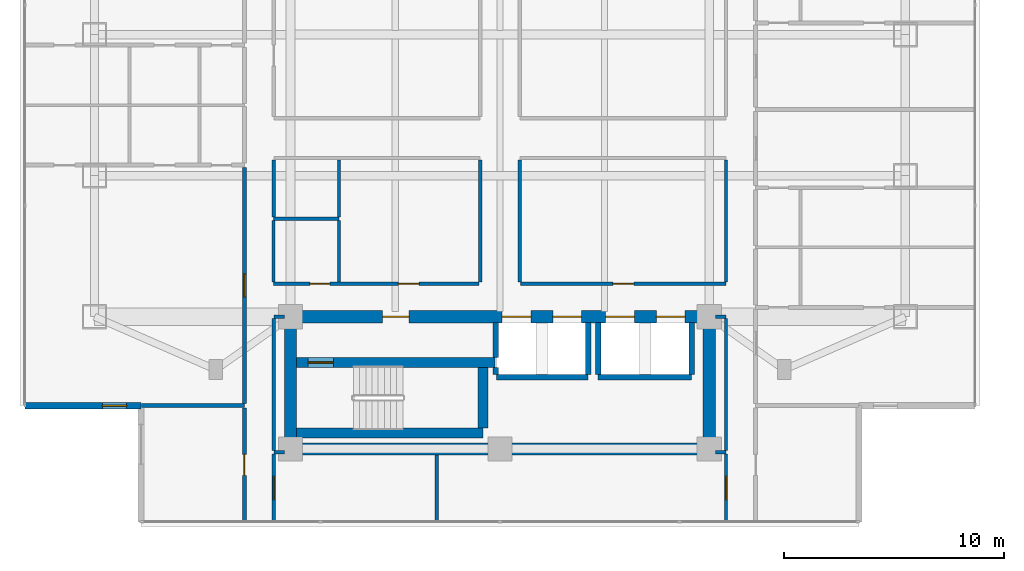
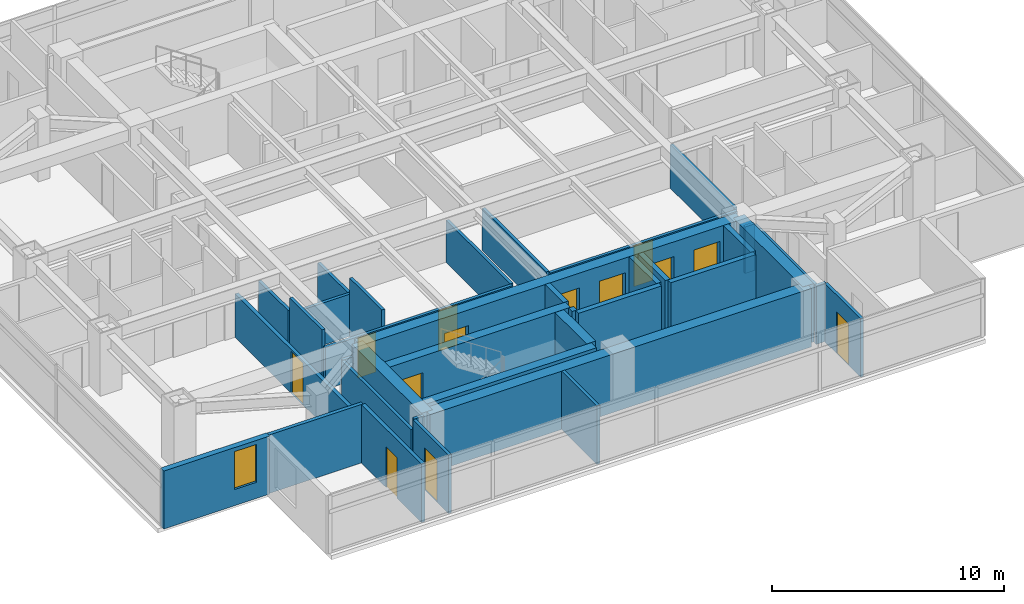
# One storey, part 12 of 24: 37 walls, 13 doors, 1 window, 14 openings.
"""IFC4 building model written with IfcOpenShell, lengths in metres."""

from ifc_helpers import new_model, si_unit, direction, frame, frame_2d, origin, place, context, subcontext, project, spatial, rectangle, extrude, material, layer, layer_set, type_object, element, fill, save


model = new_model("IFC4")

# Units and contexts
model_context = context("Model", 3, precision=1e-05, world=origin(), true_north=direction((0.0, 1.0)))
body_context = subcontext(model_context, "Body", "Model", "MODEL_VIEW")
ifc_project = project(units=[si_unit("LENGTHUNIT", "METRE"), si_unit("AREAUNIT", "SQUARE_METRE"), si_unit("VOLUMEUNIT", "CUBIC_METRE"), si_unit("PLANEANGLEUNIT", "RADIAN"), si_unit("MASSUNIT", "GRAM", prefix="KILO")], contexts=[model_context])

# Site, building, storey
site_placement = place(None, origin())
site = spatial("IfcSite", under=ifc_project, at=site_placement, CompositionType="ELEMENT")
building_placement = place(site_placement, origin())
building = spatial("IfcBuilding", under=site, at=building_placement, Name="Mirazonda Arch Towers", CompositionType="ELEMENT")
storey_placement = place(building_placement, frame((0.0, 0.0, 137.89990234375)))
storey = spatial("IfcBuildingStorey", under=building, at=storey_placement, Name="L39", CompositionType="ELEMENT", Elevation=137.89990234375)

# Wall
ifc_material_1 = material(Name="Concrete C50/60", Category="concrete")
ifc_layer_1 = layer(ifc_material_1, 0.449951171875, Name="WALL-CORE-450")
ifc_layer_set_1 = layer_set([ifc_layer_1], Name="Concrete C50/60")
wall_type_1 = type_object("IfcWallType", Name="WALL-CORE-450", PredefinedType="SHEAR", material=ifc_layer_set_1)
wall_1_placement = place(storey_placement, frame((11.27001953125, 13.1201171875, 0.0), z_axis=(0.0, 0.0, 1.0), x_axis=(1.0, 0.0, 0.0)))
element("IfcWall", 1, at=wall_1_placement, inside=storey, type_object=wall_type_1, Name="L39 Stair Core Shear Wall 003", PredefinedType="SHEAR", context=body_context, shape_type="SweptSolid", body=[
    extrude(rectangle(XDim=8.4599609375, YDim=0.449951171875, at=frame_2d((4.22998046875, 0.0))), origin(), (0.0, 0.0, 1.0), 3.080078125),
])

# Wall, opening, door
wall_2_placement = place(storey_placement, frame((11.27001953125, 16.320068359375, 0.0), z_axis=(0.0, 0.0, 1.0), x_axis=(1.0, 0.0, 0.0)))
wall_2 = element("IfcWall", 2, at=wall_2_placement, inside=storey, type_object=wall_type_1, Name="L39 Stair Core Shear Wall 008", PredefinedType="SHEAR", context=body_context, shape_type="SweptSolid", body=[
    extrude(rectangle(XDim=9.010009765625, YDim=0.449951171875, at=frame_2d((4.5048828125, 0.0))), origin(), (0.0, 0.0, 1.0), 3.080078125),
])
opening_1_placement = place(wall_2_placement, frame((0.52001953125, 0.0, 0.0)))
opening_1 = element("IfcOpeningElement", 3, at=opening_1_placement, cuts=wall_2, Name="Opening DR-135", PredefinedType="OPENING", context=body_context, shape_type="SweptSolid", body=[
    extrude(rectangle(XDim=1.14990234375, YDim=2.199951171875, at=frame_2d((0.574951171875, 1.10009765625))), frame((0.0, 0.23486328125, 0.0), z_axis=(0.0, -1.0, 0.0), x_axis=(1.0, 0.0, 0.0)), (0.0, 0.0, 1.0), 0.469970703125),
])
ifc_material_2 = material(Name="Architectural Brushed Steel S355", Category="steel")
door_type_1 = type_object("IfcDoorType", Name="DOOR-STAIR-FD90-1150", OperationType="NOTDEFINED", PredefinedType="DOOR", material=ifc_material_2)
door_1_placement = place(opening_1_placement, origin())
door_1 = element("IfcDoor", 4, at=door_1_placement, inside=storey, type_object=door_type_1, Name="L39 Protected Exit Stair South Door", OperationType="SINGLE_SWING_LEFT", OverallHeight=2.199951171875, OverallWidth=1.14990234375, PredefinedType="DOOR", context=body_context, shape_type="SweptSolid", body=[
    extrude(rectangle(XDim=1.14990234375, YDim=2.199951171875, at=frame_2d((0.574951171875, 1.10009765625))), frame((0.0, 0.02490234375, 0.0), z_axis=(0.0, -1.0, 0.0), x_axis=(1.0, 0.0, 0.0)), (0.0, 0.0, 1.0), 0.050048828125),
])
fill(opening_1, door_1)

# Walls
wall_3_placement = place(storey_placement, frame((19.72998046875, 13.35498046875, 0.0), z_axis=(0.0, 0.0, 1.0), x_axis=(0.0, 1.0, 0.0)))
element("IfcWall", 5, at=wall_3_placement, inside=storey, type_object=wall_type_1, Name="L39 Stair Core Shear Wall 087", PredefinedType="SHEAR", context=body_context, shape_type="SweptSolid", body=[
    extrude(rectangle(XDim=2.72998046875, YDim=0.449951171875, at=frame_2d((1.364990234375, 0.0))), origin(), (0.0, 0.0, 1.0), 3.080078125),
])
ifc_layer_2 = layer(ifc_material_1, 0.550048828125, Name="WALL-CORE-550")
ifc_layer_set_2 = layer_set([ifc_layer_2], Name="Concrete C50/60")
wall_type_2 = type_object("IfcWallType", Name="WALL-CORE-550", PredefinedType="SHEAR", material=ifc_layer_set_2)
wall_4_placement = place(storey_placement, frame((11.0, 12.39990234375, 0.0), z_axis=(0.0, 0.0, 1.0), x_axis=(1.0, 0.0, 0.0)))
element("IfcWall", 6, at=wall_4_placement, inside=storey, type_object=wall_type_2, Name="L39 T1S-S Core Shear Wall", PredefinedType="SHEAR", context=body_context, shape_type="SweptSolid", body=[
    extrude(rectangle(XDim=19.0, YDim=0.550048828125, at=frame_2d((9.5, 0.0))), origin(), (0.0, 0.0, 1.0), 3.080078125),
])
for number, where, z_axis, x_axis, name in (
    (7, (11.0, 12.39990234375, 0.0), (0.0, 0.0, 1.0), (0.0, 1.0, 0.0), "L39 T1S-W Core Shear Wall"),
    (8, (30.0, 12.39990234375, 0.0), (0.0, 0.0, 1.0), (0.0, 1.0, 0.0), "L39 T1S-E Core Shear Wall"),
):
    element("IfcWall", number, at=place(storey_placement, frame(where, z_axis=z_axis, x_axis=x_axis)), inside=storey, type_object=wall_type_2, Name=name, PredefinedType="SHEAR", context=body_context, shape_type="SweptSolid", body=[
        extrude(rectangle(XDim=6.0, YDim=0.550048828125, at=frame_2d((3.0, 0.0))), origin(), (0.0, 0.0, 1.0), 3.080078125),
    ])

# Wall, openings, doors
wall_5_placement = place(storey_placement, frame((11.0, 18.39990234375, 0.0), z_axis=(0.0, 0.0, 1.0), x_axis=(1.0, 0.0, 0.0)))
wall_5 = element("IfcWall", 9, at=wall_5_placement, inside=storey, type_object=wall_type_2, Name="L39 T1S-N Core Shear Wall", PredefinedType="SHEAR", context=body_context, shape_type="SweptSolid", body=[
    extrude(rectangle(XDim=19.0, YDim=0.550048828125, at=frame_2d((9.5, 0.0))), origin(), (0.0, 0.0, 1.0), 3.080078125),
])
opening_2_placement = place(wall_5_placement, frame((4.175048828125, 0.0, 0.0)))
opening_2 = element("IfcOpeningElement", 10, at=opening_2_placement, cuts=wall_5, Name="Opening DR-117", PredefinedType="OPENING", context=body_context, shape_type="SweptSolid", body=[
    extrude(rectangle(XDim=1.199951171875, YDim=2.25, at=frame_2d((0.60009765625, 1.125))), frame((0.0, 0.284912109375, 0.0), z_axis=(0.0, -1.0, 0.0), x_axis=(1.0, 0.0, 0.0)), (0.0, 0.0, 1.0), 0.570068359375),
])
opening_3_placement = place(wall_5_placement, frame((9.60009765625, 0.0, 0.0)))
opening_3 = element("IfcOpeningElement", 11, at=opening_3_placement, cuts=wall_5, Name="Opening LD-111", PredefinedType="OPENING", context=body_context, shape_type="SweptSolid", body=[
    extrude(rectangle(XDim=1.300048828125, YDim=2.300048828125, at=frame_2d((0.64990234375, 1.14990234375))), frame((0.0, 0.284912109375, 0.0), z_axis=(0.0, -1.0, 0.0), x_axis=(1.0, 0.0, 0.0)), (0.0, 0.0, 1.0), 0.570068359375),
])
opening_4_placement = place(wall_5_placement, frame((11.89990234375, 0.0, 0.0)))
opening_4 = element("IfcOpeningElement", 12, at=opening_4_placement, cuts=wall_5, Name="Opening LD-111", PredefinedType="OPENING", context=body_context, shape_type="SweptSolid", body=[
    extrude(rectangle(XDim=1.300048828125, YDim=2.300048828125, at=frame_2d((0.64990234375, 1.14990234375))), frame((0.0, 0.284912109375, 0.0), z_axis=(0.0, -1.0, 0.0), x_axis=(1.0, 0.0, 0.0)), (0.0, 0.0, 1.0), 0.570068359375),
])
opening_5_placement = place(wall_5_placement, frame((14.300048828125, 0.0, 0.0)))
opening_5 = element("IfcOpeningElement", 13, at=opening_5_placement, cuts=wall_5, Name="Opening LD-111", PredefinedType="OPENING", context=body_context, shape_type="SweptSolid", body=[
    extrude(rectangle(XDim=1.300048828125, YDim=2.300048828125, at=frame_2d((0.64990234375, 1.14990234375))), frame((0.0, 0.284912109375, 0.0), z_axis=(0.0, -1.0, 0.0), x_axis=(1.0, 0.0, 0.0)), (0.0, 0.0, 1.0), 0.570068359375),
])
opening_6_placement = place(wall_5_placement, frame((16.60009765625, 0.0, 0.0)))
opening_6 = element("IfcOpeningElement", 14, at=opening_6_placement, cuts=wall_5, Name="Opening LD-111", PredefinedType="OPENING", context=body_context, shape_type="SweptSolid", body=[
    extrude(rectangle(XDim=1.300048828125, YDim=2.300048828125, at=frame_2d((0.64990234375, 1.14990234375))), frame((0.0, 0.284912109375, 0.0), z_axis=(0.0, -1.0, 0.0), x_axis=(1.0, 0.0, 0.0)), (0.0, 0.0, 1.0), 0.570068359375),
])
door_type_2 = type_object("IfcDoorType", Name="DOOR-FFL-FD90-1200", OperationType="NOTDEFINED", PredefinedType="DOOR", material=ifc_material_2)
door_2_placement = place(opening_2_placement, origin())
door_2 = element("IfcDoor", 15, at=door_2_placement, inside=storey, type_object=door_type_2, Name="L39 South Core Stair & Lift Lobby Door", OperationType="SINGLE_SWING_RIGHT", OverallHeight=2.25, OverallWidth=1.199951171875, PredefinedType="DOOR", context=body_context, shape_type="SweptSolid", body=[
    extrude(rectangle(XDim=1.199951171875, YDim=2.25, at=frame_2d((0.60009765625, 1.125))), frame((0.0, 0.02490234375, 0.0), z_axis=(0.0, -1.0, 0.0), x_axis=(1.0, 0.0, 0.0)), (0.0, 0.0, 1.0), 0.050048828125),
])
fill(opening_2, door_2)
door_type_3 = type_object("IfcDoorType", Name="DOOR-LIFT-LAND-1300", OperationType="NOTDEFINED", PredefinedType="DOOR", material=ifc_material_2)
door_3_placement = place(opening_3_placement, origin())
door_3 = element("IfcDoor", 16, at=door_3_placement, inside=storey, type_object=door_type_3, Name="L39 Lift Landing Sliding Door PL-T1M1", OperationType="DOUBLE_DOOR_SLIDING", OverallHeight=2.300048828125, OverallWidth=1.300048828125, PredefinedType="DOOR", context=body_context, shape_type="SweptSolid", body=[
    extrude(rectangle(XDim=1.300048828125, YDim=2.300048828125, at=frame_2d((0.64990234375, 1.14990234375))), frame((0.0, 0.02490234375, 0.0), z_axis=(0.0, -1.0, 0.0), x_axis=(1.0, 0.0, 0.0)), (0.0, 0.0, 1.0), 0.050048828125),
])
fill(opening_3, door_3)
door_4_placement = place(opening_4_placement, origin())
door_4 = element("IfcDoor", 17, at=door_4_placement, inside=storey, type_object=door_type_3, Name="L39 Lift Landing Sliding Door PL-T1M2", OperationType="DOUBLE_DOOR_SLIDING", OverallHeight=2.300048828125, OverallWidth=1.300048828125, PredefinedType="DOOR", context=body_context, shape_type="SweptSolid", body=[
    extrude(rectangle(XDim=1.300048828125, YDim=2.300048828125, at=frame_2d((0.64990234375, 1.14990234375))), frame((0.0, 0.02490234375, 0.0), z_axis=(0.0, -1.0, 0.0), x_axis=(1.0, 0.0, 0.0)), (0.0, 0.0, 1.0), 0.050048828125),
])
fill(opening_4, door_4)
door_5_placement = place(opening_5_placement, origin())
door_5 = element("IfcDoor", 18, at=door_5_placement, inside=storey, type_object=door_type_3, Name="L39 Lift Landing Sliding Door PL-T1H1", OperationType="DOUBLE_DOOR_SLIDING", OverallHeight=2.300048828125, OverallWidth=1.300048828125, PredefinedType="DOOR", context=body_context, shape_type="SweptSolid", body=[
    extrude(rectangle(XDim=1.300048828125, YDim=2.300048828125, at=frame_2d((0.64990234375, 1.14990234375))), frame((0.0, 0.02490234375, 0.0), z_axis=(0.0, -1.0, 0.0), x_axis=(1.0, 0.0, 0.0)), (0.0, 0.0, 1.0), 0.050048828125),
])
fill(opening_5, door_5)
door_6_placement = place(opening_6_placement, origin())
door_6 = element("IfcDoor", 19, at=door_6_placement, inside=storey, type_object=door_type_3, Name="L39 Lift Landing Sliding Door PL-T1H2", OperationType="DOUBLE_DOOR_SLIDING", OverallHeight=2.300048828125, OverallWidth=1.300048828125, PredefinedType="DOOR", context=body_context, shape_type="SweptSolid", body=[
    extrude(rectangle(XDim=1.300048828125, YDim=2.300048828125, at=frame_2d((0.64990234375, 1.14990234375))), frame((0.0, 0.02490234375, 0.0), z_axis=(0.0, -1.0, 0.0), x_axis=(1.0, 0.0, 0.0)), (0.0, 0.0, 1.0), 0.050048828125),
])
fill(opening_6, door_6)

# Wall, opening, window
ifc_material_3 = material(Name="Precast Concrete C40/50", Category="concrete")
ifc_layer_3 = layer(ifc_material_3, 0.280029296875, Name="WALL-EXT-WALL-280")
ifc_layer_set_3 = layer_set([ifc_layer_3], Name="Precast Concrete C40/50")
wall_type_3 = type_object("IfcWallType", Name="WALL-EXT-WALL-280", PredefinedType="SOLIDWALL", material=ifc_layer_set_3)
wall_6_placement = place(storey_placement, frame((-1.06005859375, 14.362060546875, 0.0), z_axis=(0.0, 0.0, 1.0), x_axis=(1.0, 0.0, 0.0)))
wall_6 = element("IfcWall", 20, at=wall_6_placement, inside=storey, type_object=wall_type_3, Name="L39 T1 Corner Notch Return Wall WL-L39-T1-CSW2", PredefinedType="SOLIDWALL", context=body_context, shape_type="SweptSolid", body=[
    extrude(rectangle(XDim=5.27001953125, YDim=0.280029296875, at=frame_2d((2.635009765625, 0.0))), origin(), (0.0, 0.0, 1.0), 3.06005859375),
])
opening_7_placement = place(wall_6_placement, frame((3.52001953125, 0.0, 0.85009765625)))
opening_7 = element("IfcOpeningElement", 21, at=opening_7_placement, cuts=wall_6, Name="Opening WN-108", PredefinedType="OPENING", context=body_context, shape_type="SweptSolid", body=[
    extrude(rectangle(XDim=1.10009765625, YDim=2.0, at=frame_2d((0.550048828125, 1.0))), frame((0.0, 0.14990234375, 0.0), z_axis=(0.0, -1.0, 0.0), x_axis=(1.0, 0.0, 0.0)), (0.0, 0.0, 1.0), 0.300048828125),
])
ifc_material_4 = material(Name="Insulated Low-E Solar Glass", Category="glass")
window_type = type_object("IfcWindowType", Name="WIN-NOTCH-1100x2000", PartitioningType="SINGLE_PANEL", PredefinedType="WINDOW", material=ifc_material_4)
window_placement = place(opening_7_placement, origin())
window = element("IfcWindow", 22, at=window_placement, inside=storey, type_object=window_type, Name="L39 Punched Facade Window WN-L39-T1-CSW2", OverallHeight=2.0, OverallWidth=1.10009765625, PartitioningType="SINGLE_PANEL", PredefinedType="WINDOW", context=body_context, shape_type="SweptSolid", body=[
    extrude(rectangle(XDim=1.10009765625, YDim=2.0, at=frame_2d((0.550048828125, 1.0))), frame((0.0, 0.030029296875, 0.0), z_axis=(0.0, -1.0, 0.0), x_axis=(1.0, 0.0, 0.0)), (0.0, 0.0, 1.0), 0.06005859375),
])
fill(opening_7, window)

# Walls
ifc_material_5 = material(Name="Fire-Rated Gypsum Stud Partition")
ifc_layer_4 = layer(ifc_material_5, 0.14990234375, Name="WALL-PART-CORR-150")
ifc_layer_set_4 = layer_set([ifc_layer_4], Name="Fire-Rated Gypsum Stud Partition")
wall_type_4 = type_object("IfcWallType", Name="WALL-PART-CORR-150", PredefinedType="PARTITIONING", material=ifc_layer_set_4)
for number, where, z_axis, x_axis, name in (
    (23, (10.239990234375, 12.25, 0.0), (0.0, 0.0, 1.0), (1.0, 0.0, 0.0), "L39 Interior Partition 001"),
    (24, (30.27001953125, 12.25, 0.0), (0.0, 0.0, 1.0), (1.0, 0.0, 0.0), "L39 Interior Partition 002"),
):
    element("IfcWall", number, at=place(storey_placement, frame(where, z_axis=z_axis, x_axis=x_axis)), inside=storey, type_object=wall_type_4, Name=name, PredefinedType="PARTITIONING", context=body_context, shape_type="SweptSolid", body=[
        extrude(rectangle(XDim=0.489990234375, YDim=0.14990234375, at=frame_2d((0.2451171875, 0.0))), origin(), (0.0, 0.0, 1.0), 3.080078125),
    ])
for number, where, z_axis, x_axis, name in (
    (25, (10.239990234375, 18.39990234375, 0.0), (0.0, 0.0, 1.0), (1.0, 0.0, 0.0), "L39 Interior Partition 012"),
    (26, (30.27001953125, 18.39990234375, 0.0), (0.0, 0.0, 1.0), (1.0, 0.0, 0.0), "L39 Interior Partition 013"),
):
    element("IfcWall", number, at=place(storey_placement, frame(where, z_axis=z_axis, x_axis=x_axis)), inside=storey, type_object=wall_type_4, Name=name, PredefinedType="PARTITIONING", context=body_context, shape_type="SweptSolid", body=[
        extrude(rectangle(XDim=0.489990234375, YDim=0.14990234375, at=frame_2d((0.2451171875, 0.0))), origin(), (0.0, 0.0, 1.0), 2.4560546875),
    ])

# Wall, openings, doors
wall_7_placement = place(storey_placement, frame((10.219970703125, 19.89990234375, 0.0), z_axis=(0.0, 0.0, 1.0), x_axis=(1.0, 0.0, 0.0)))
wall_7 = element("IfcWall", 27, at=wall_7_placement, inside=storey, type_object=wall_type_4, Name="L39 Interior Partition 016", PredefinedType="PARTITIONING", context=body_context, shape_type="SweptSolid", body=[
    extrude(rectangle(XDim=9.340087890625, YDim=0.14990234375, at=frame_2d((4.669921875, 0.0))), origin(), (0.0, 0.0, 1.0), 2.216064453125),
])
opening_8_placement = place(wall_7_placement, frame((1.659912109375, 0.0, 0.0)))
opening_8 = element("IfcOpeningElement", 28, at=opening_8_placement, cuts=wall_7, Name="Opening DR-120", PredefinedType="OPENING", context=body_context, shape_type="SweptSolid", body=[
    extrude(rectangle(XDim=0.89990234375, YDim=2.10009765625, at=frame_2d((0.449951171875, 1.050048828125))), frame((0.0, 0.0849609375, 0.0), z_axis=(0.0, -1.0, 0.0), x_axis=(1.0, 0.0, 0.0)), (0.0, 0.0, 1.0), 0.169921875),
])
opening_9_placement = place(wall_7_placement, frame((5.6650390625, 0.0, 0.0)))
opening_9 = element("IfcOpeningElement", 29, at=opening_9_placement, cuts=wall_7, Name="Opening DR-104", PredefinedType="OPENING", context=body_context, shape_type="SweptSolid", body=[
    extrude(rectangle(XDim=0.949951171875, YDim=2.14990234375, at=frame_2d((0.47509765625, 1.074951171875))), frame((0.0, 0.0849609375, 0.0), z_axis=(0.0, -1.0, 0.0), x_axis=(1.0, 0.0, 0.0)), (0.0, 0.0, 1.0), 0.169921875),
])
door_type_4 = type_object("IfcDoorType", Name="DOOR-ROOM-950", OperationType="NOTDEFINED", PredefinedType="DOOR", material=ifc_material_2)
door_7_placement = place(opening_9_placement, origin())
door_7 = element("IfcDoor", 30, at=door_7_placement, inside=storey, type_object=door_type_4, Name="L39 L39 West Courtyard Study Door", OperationType="SINGLE_SWING_LEFT", OverallHeight=2.14990234375, OverallWidth=0.949951171875, PredefinedType="DOOR", context=body_context, shape_type="SweptSolid", body=[
    extrude(rectangle(XDim=0.949951171875, YDim=2.14990234375, at=frame_2d((0.47509765625, 1.074951171875))), frame((0.0, 0.02490234375, 0.0), z_axis=(0.0, -1.0, 0.0), x_axis=(1.0, 0.0, 0.0)), (0.0, 0.0, 1.0), 0.050048828125),
])
fill(opening_9, door_7)
door_type_5 = type_object("IfcDoorType", Name="DOOR-WC-900", OperationType="NOTDEFINED", PredefinedType="DOOR", material=ifc_material_2)
door_8_placement = place(opening_8_placement, origin())
door_8 = element("IfcDoor", 31, at=door_8_placement, inside=storey, type_object=door_type_5, Name="L39 Common Accessible WC Door", OperationType="SINGLE_SWING_RIGHT", OverallHeight=2.10009765625, OverallWidth=0.89990234375, PredefinedType="DOOR", context=body_context, shape_type="SweptSolid", body=[
    extrude(rectangle(XDim=0.89990234375, YDim=2.10009765625, at=frame_2d((0.449951171875, 1.050048828125))), frame((0.0, 0.02490234375, 0.0), z_axis=(0.0, -1.0, 0.0), x_axis=(1.0, 0.0, 0.0)), (0.0, 0.0, 1.0), 0.050048828125),
])
fill(opening_8, door_8)

# Wall, opening, door
wall_8_placement = place(storey_placement, frame((21.43994140625, 19.89990234375, 0.0), z_axis=(0.0, 0.0, 1.0), x_axis=(1.0, 0.0, 0.0)))
wall_8 = element("IfcWall", 32, at=wall_8_placement, inside=storey, type_object=wall_type_4, Name="L39 Interior Partition 017", PredefinedType="PARTITIONING", context=body_context, shape_type="SweptSolid", body=[
    extrude(rectangle(XDim=9.320068359375, YDim=0.14990234375, at=frame_2d((4.66015625, 0.0))), origin(), (0.0, 0.0, 1.0), 2.216064453125),
])
opening_10_placement = place(wall_8_placement, frame((4.18505859375, 0.0, 0.0)))
opening_10 = element("IfcOpeningElement", 33, at=opening_10_placement, cuts=wall_8, Name="Opening DR-104", PredefinedType="OPENING", context=body_context, shape_type="SweptSolid", body=[
    extrude(rectangle(XDim=0.949951171875, YDim=2.14990234375, at=frame_2d((0.47509765625, 1.074951171875))), frame((0.0, 0.0849609375, 0.0), z_axis=(0.0, -1.0, 0.0), x_axis=(1.0, 0.0, 0.0)), (0.0, 0.0, 1.0), 0.169921875),
])
door_9_placement = place(opening_10_placement, origin())
door_9 = element("IfcDoor", 34, at=door_9_placement, inside=storey, type_object=door_type_4, Name="L39 L39 South-East Cruciform Lounge Door", OperationType="SINGLE_SWING_LEFT", OverallHeight=2.14990234375, OverallWidth=0.949951171875, PredefinedType="DOOR", context=body_context, shape_type="SweptSolid", body=[
    extrude(rectangle(XDim=0.949951171875, YDim=2.14990234375, at=frame_2d((0.47509765625, 1.074951171875))), frame((0.0, 0.02490234375, 0.0), z_axis=(0.0, -1.0, 0.0), x_axis=(1.0, 0.0, 0.0)), (0.0, 0.0, 1.0), 0.050048828125),
])
fill(opening_10, door_9)

# Walls
wall_9_placement = place(storey_placement, frame((10.219970703125, 22.85009765625, 0.0), z_axis=(0.0, 0.0, 1.0), x_axis=(1.0, 0.0, 0.0)))
element("IfcWall", 35, at=wall_9_placement, inside=storey, type_object=wall_type_4, Name="L39 Interior Partition 024", PredefinedType="PARTITIONING", context=body_context, shape_type="SweptSolid", body=[
    extrude(rectangle(XDim=2.97998046875, YDim=0.14990234375, at=frame_2d((1.489990234375, 0.0))), origin(), (0.0, 0.0, 1.0), 2.216064453125),
])
wall_10_placement = place(storey_placement, frame((10.219970703125, 19.985107421875, 0.0), z_axis=(0.0, 0.0, 1.0), x_axis=(0.0, 1.0, 0.0)))
element("IfcWall", 36, at=wall_10_placement, inside=storey, type_object=wall_type_4, Name="L39 Interior Partition 072", PredefinedType="PARTITIONING", context=body_context, shape_type="SweptSolid", body=[
    extrude(rectangle(XDim=2.77978515625, YDim=0.14990234375, at=frame_2d((1.389892578125, 0.0))), origin(), (0.0, 0.0, 1.0), 3.080078125),
])

# Wall, opening, door
wall_11_placement = place(storey_placement, frame((10.239990234375, 9.092041015625, 0.0), z_axis=(0.0, 0.0, 1.0), x_axis=(0.0, 1.0, 0.0)))
wall_11 = element("IfcWall", 37, at=wall_11_placement, inside=storey, type_object=wall_type_4, Name="L39 Interior Partition 073", PredefinedType="PARTITIONING", context=body_context, shape_type="SweptSolid", body=[
    extrude(rectangle(XDim=3.072998046875, YDim=0.14990234375, at=frame_2d((1.53662109375, 0.0))), origin(), (0.0, 0.0, 1.0), 3.080078125),
])
opening_11_placement = place(wall_11_placement, frame((1.011474609375, 0.0, 0.0)))
opening_11 = element("IfcOpeningElement", 38, at=opening_11_placement, cuts=wall_11, Name="Opening DR-121", PredefinedType="OPENING", context=body_context, shape_type="SweptSolid", body=[
    extrude(rectangle(XDim=1.050048828125, YDim=2.199951171875, at=frame_2d((0.52490234375, 1.10009765625))), frame((0.0, 0.0849609375, 0.0), z_axis=(0.0, -1.0, 0.0), x_axis=(1.0, 0.0, 0.0)), (0.0, 0.0, 1.0), 0.169921875),
])
door_type_6 = type_object("IfcDoorType", Name="DOOR-SUITE-FD60-1050", OperationType="NOTDEFINED", PredefinedType="DOOR", material=ifc_material_2)
door_10_placement = place(opening_11_placement, origin())
door_10 = element("IfcDoor", 39, at=door_10_placement, inside=storey, type_object=door_type_6, Name="L39 South Panoramic Study Minor Door", OperationType="SINGLE_SWING_LEFT", OverallHeight=2.199951171875, OverallWidth=1.050048828125, PredefinedType="DOOR", context=body_context, shape_type="SweptSolid", body=[
    extrude(rectangle(XDim=1.050048828125, YDim=2.199951171875, at=frame_2d((0.52490234375, 1.10009765625))), frame((0.0, 0.02490234375, 0.0), z_axis=(0.0, -1.0, 0.0), x_axis=(1.0, 0.0, 0.0)), (0.0, 0.0, 1.0), 0.050048828125),
])
fill(opening_11, door_10)

# Walls
wall_12_placement = place(storey_placement, frame((10.239990234375, 12.3349609375, 0.0), z_axis=(0.0, 0.0, 1.0), x_axis=(0.0, 1.0, 0.0)))
element("IfcWall", 40, at=wall_12_placement, inside=storey, type_object=wall_type_4, Name="L39 Interior Partition 074", PredefinedType="PARTITIONING", context=body_context, shape_type="SweptSolid", body=[
    extrude(rectangle(XDim=5.97998046875, YDim=0.14990234375, at=frame_2d((2.989990234375, 0.0))), origin(), (0.0, 0.0, 1.0), 2.4560546875),
])
wall_13_placement = place(storey_placement, frame((10.239990234375, 22.93505859375, 0.0), z_axis=(0.0, 0.0, 1.0), x_axis=(0.0, 1.0, 0.0)))
element("IfcWall", 41, at=wall_13_placement, inside=storey, type_object=wall_type_4, Name="L39 Interior Partition 075", PredefinedType="PARTITIONING", context=body_context, shape_type="SweptSolid", body=[
    extrude(rectangle(XDim=2.579833984375, YDim=0.14990234375, at=frame_2d((1.2900390625, 0.0))), origin(), (0.0, 0.0, 1.0), 2.299072265625),
])
wall_14_placement = place(storey_placement, frame((13.199951171875, 19.985107421875, 0.0), z_axis=(0.0, 0.0, 1.0), x_axis=(0.0, 1.0, 0.0)))
element("IfcWall", 42, at=wall_14_placement, inside=storey, type_object=wall_type_4, Name="L39 Interior Partition 080", PredefinedType="PARTITIONING", context=body_context, shape_type="SweptSolid", body=[
    extrude(rectangle(XDim=2.77978515625, YDim=0.14990234375, at=frame_2d((1.389892578125, 0.0))), origin(), (0.0, 0.0, 1.0), 3.080078125),
])
wall_15_placement = place(storey_placement, frame((13.199951171875, 22.93505859375, 0.0), z_axis=(0.0, 0.0, 1.0), x_axis=(0.0, 1.0, 0.0)))
element("IfcWall", 43, at=wall_15_placement, inside=storey, type_object=wall_type_4, Name="L39 Interior Partition 081", PredefinedType="PARTITIONING", context=body_context, shape_type="SweptSolid", body=[
    extrude(rectangle(XDim=2.579833984375, YDim=0.14990234375, at=frame_2d((1.2900390625, 0.0))), origin(), (0.0, 0.0, 1.0), 2.216064453125),
])
wall_16_placement = place(storey_placement, frame((17.626953125, 9.092041015625, 0.0), z_axis=(0.0, 0.0, 1.0), x_axis=(0.0, 1.0, 0.0)))
element("IfcWall", 44, at=wall_16_placement, inside=storey, type_object=wall_type_4, Name="L39 Interior Partition 083", PredefinedType="PARTITIONING", context=body_context, shape_type="SweptSolid", body=[
    extrude(rectangle(XDim=3.037841796875, YDim=0.14990234375, at=frame_2d((1.51904296875, 0.0))), origin(), (0.0, 0.0, 1.0), 3.080078125),
])
for number, where, z_axis, x_axis, name in (
    (45, (19.60009765625, 19.985107421875, 0.0), (0.0, 0.0, 1.0), (0.0, 1.0, 0.0), "L39 Interior Partition 085"),
    (46, (21.39990234375, 19.985107421875, 0.0), (0.0, 0.0, 1.0), (0.0, 1.0, 0.0), "L39 Interior Partition 092"),
):
    element("IfcWall", number, at=place(storey_placement, frame(where, z_axis=z_axis, x_axis=x_axis)), inside=storey, type_object=wall_type_4, Name=name, PredefinedType="PARTITIONING", context=body_context, shape_type="SweptSolid", body=[
        extrude(rectangle(XDim=5.52978515625, YDim=0.14990234375, at=frame_2d((2.764892578125, 0.0))), origin(), (0.0, 0.0, 1.0), 2.216064453125),
    ])

# Wall, opening, door
wall_17_placement = place(storey_placement, frame((30.760009765625, 9.092041015625, 0.0), z_axis=(0.0, 0.0, 1.0), x_axis=(0.0, 1.0, 0.0)))
wall_17 = element("IfcWall", 47, at=wall_17_placement, inside=storey, type_object=wall_type_4, Name="L39 Interior Partition 104", PredefinedType="PARTITIONING", context=body_context, shape_type="SweptSolid", body=[
    extrude(rectangle(XDim=3.072998046875, YDim=0.14990234375, at=frame_2d((1.53662109375, 0.0))), origin(), (0.0, 0.0, 1.0), 3.080078125),
])
opening_12_placement = place(wall_17_placement, frame((1.011474609375, 0.0, 0.0)))
opening_12 = element("IfcOpeningElement", 48, at=opening_12_placement, cuts=wall_17, Name="Opening DR-121", PredefinedType="OPENING", context=body_context, shape_type="SweptSolid", body=[
    extrude(rectangle(XDim=1.050048828125, YDim=2.199951171875, at=frame_2d((0.52490234375, 1.10009765625))), frame((0.0, 0.0849609375, 0.0), z_axis=(0.0, -1.0, 0.0), x_axis=(1.0, 0.0, 0.0)), (0.0, 0.0, 1.0), 0.169921875),
])
door_11_placement = place(opening_12_placement, origin())
door_11 = element("IfcDoor", 49, at=door_11_placement, inside=storey, type_object=door_type_6, Name="L39 South Panoramic Study Grand Door", OperationType="SINGLE_SWING_RIGHT", OverallHeight=2.199951171875, OverallWidth=1.050048828125, PredefinedType="DOOR", context=body_context, shape_type="SweptSolid", body=[
    extrude(rectangle(XDim=1.050048828125, YDim=2.199951171875, at=frame_2d((0.52490234375, 1.10009765625))), frame((0.0, 0.02490234375, 0.0), z_axis=(0.0, -1.0, 0.0), x_axis=(1.0, 0.0, 0.0)), (0.0, 0.0, 1.0), 0.050048828125),
])
fill(opening_12, door_11)

# Walls
wall_18_placement = place(storey_placement, frame((30.760009765625, 12.3349609375, 0.0), z_axis=(0.0, 0.0, 1.0), x_axis=(0.0, 1.0, 0.0)))
element("IfcWall", 50, at=wall_18_placement, inside=storey, type_object=wall_type_4, Name="L39 Interior Partition 105", PredefinedType="PARTITIONING", context=body_context, shape_type="SweptSolid", body=[
    extrude(rectangle(XDim=5.97998046875, YDim=0.14990234375, at=frame_2d((2.989990234375, 0.0))), origin(), (0.0, 0.0, 1.0), 2.4560546875),
])
wall_19_placement = place(storey_placement, frame((30.760009765625, 19.985107421875, 0.0), z_axis=(0.0, 0.0, 1.0), x_axis=(0.0, 1.0, 0.0)))
element("IfcWall", 51, at=wall_19_placement, inside=storey, type_object=wall_type_4, Name="L39 Interior Partition 106", PredefinedType="PARTITIONING", context=body_context, shape_type="SweptSolid", body=[
    extrude(rectangle(XDim=5.52978515625, YDim=0.14990234375, at=frame_2d((2.764892578125, 0.0))), origin(), (0.0, 0.0, 1.0), 2.299072265625),
])
ifc_material_6 = material(Name="Fire-Rated Gypsum Twin-Stud Assembly")
ifc_layer_5 = layer(ifc_material_6, 0.179931640625, Name="WALL-PART-DEMISE-180")
ifc_layer_set_5 = layer_set([ifc_layer_5], Name="Fire-Rated Gypsum Twin-Stud Assembly")
wall_type_5 = type_object("IfcWallType", Name="WALL-PART-DEMISE-180", PredefinedType="PARTITIONING", material=ifc_layer_set_5)
wall_20_placement = place(storey_placement, frame((4.22998046875, 14.362060546875, 0.0), z_axis=(0.0, 0.0, 1.0), x_axis=(1.0, 0.0, 0.0)))
element("IfcWall", 52, at=wall_20_placement, inside=storey, type_object=wall_type_5, Name="L39 Interior Partition 004", PredefinedType="PARTITIONING", context=body_context, shape_type="SweptSolid", body=[
    extrude(rectangle(XDim=4.669921875, YDim=0.179931640625, at=frame_2d((2.3349609375, 0.0))), origin(), (0.0, 0.0, 1.0), 3.080078125),
])

# Wall, opening, door
wall_21_placement = place(storey_placement, frame((8.89990234375, 9.092041015625, 0.0), z_axis=(0.0, 0.0, 1.0), x_axis=(0.0, 1.0, 0.0)))
wall_21 = element("IfcWall", 53, at=wall_21_placement, inside=storey, type_object=wall_type_5, Name="L39 Interior Partition 066", PredefinedType="PARTITIONING", context=body_context, shape_type="SweptSolid", body=[
    extrude(rectangle(XDim=5.169921875, YDim=0.179931640625, at=frame_2d((2.5849609375, 0.0))), origin(), (0.0, 0.0, 1.0), 3.080078125),
])
opening_13_placement = place(wall_21_placement, frame((2.110107421875, 0.0, 0.0)))
opening_13 = element("IfcOpeningElement", 54, at=opening_13_placement, cuts=wall_21, Name="Opening DR-104", PredefinedType="OPENING", context=body_context, shape_type="SweptSolid", body=[
    extrude(rectangle(XDim=0.949951171875, YDim=2.14990234375, at=frame_2d((0.47509765625, 1.074951171875))), frame((0.0, 0.099853515625, 0.0), z_axis=(0.0, -1.0, 0.0), x_axis=(1.0, 0.0, 0.0)), (0.0, 0.0, 1.0), 0.199951171875),
])
door_12_placement = place(opening_13_placement, origin())
door_12 = element("IfcDoor", 55, at=door_12_placement, inside=storey, type_object=door_type_4, Name="L39 South Panoramic Study Alcove West Door", OperationType="SINGLE_SWING_LEFT", OverallHeight=2.14990234375, OverallWidth=0.949951171875, PredefinedType="DOOR", context=body_context, shape_type="SweptSolid", body=[
    extrude(rectangle(XDim=0.949951171875, YDim=2.14990234375, at=frame_2d((0.47509765625, 1.074951171875))), frame((0.0, 0.02490234375, 0.0), z_axis=(0.0, -1.0, 0.0), x_axis=(1.0, 0.0, 0.0)), (0.0, 0.0, 1.0), 0.050048828125),
])
fill(opening_13, door_12)

wall_22_placement = place(storey_placement, frame((8.89990234375, 14.4619140625, 0.0), z_axis=(0.0, 0.0, 1.0), x_axis=(0.0, 1.0, 0.0)))
wall_22 = element("IfcWall", 56, at=wall_22_placement, inside=storey, type_object=wall_type_5, Name="L39 Interior Partition 067", PredefinedType="PARTITIONING", context=body_context, shape_type="SweptSolid", body=[
    extrude(rectangle(XDim=10.718017578125, YDim=0.179931640625, at=frame_2d((5.35888671875, 0.0))), origin(), (0.0, 0.0, 1.0), 2.299072265625),
])
opening_14_placement = place(wall_22_placement, frame((4.833984375, 0.0, 0.0)))
opening_14 = element("IfcOpeningElement", 57, at=opening_14_placement, cuts=wall_22, Name="Opening DR-121", PredefinedType="OPENING", context=body_context, shape_type="SweptSolid", body=[
    extrude(rectangle(XDim=1.050048828125, YDim=2.199951171875, at=frame_2d((0.52490234375, 1.10009765625))), frame((0.0, 0.099853515625, 0.0), z_axis=(0.0, -1.0, 0.0), x_axis=(1.0, 0.0, 0.0)), (0.0, 0.0, 1.0), 0.199951171875),
])
door_13_placement = place(opening_14_placement, origin())
door_13 = element("IfcDoor", 58, at=door_13_placement, inside=storey, type_object=door_type_6, Name="L39 Penthouse Residence 1 Living & Dining Salon Door", OperationType="SINGLE_SWING_LEFT", OverallHeight=2.199951171875, OverallWidth=1.050048828125, PredefinedType="DOOR", context=body_context, shape_type="SweptSolid", body=[
    extrude(rectangle(XDim=1.050048828125, YDim=2.199951171875, at=frame_2d((0.52490234375, 1.10009765625))), frame((0.0, 0.02490234375, 0.0), z_axis=(0.0, -1.0, 0.0), x_axis=(1.0, 0.0, 0.0)), (0.0, 0.0, 1.0), 0.050048828125),
])
fill(opening_14, door_13)

# Walls
ifc_material_7 = material(Name="Concrete C40/50", Category="concrete")
ifc_layer_6 = layer(ifc_material_7, 0.25, Name="WALL-SHAFT-250")
ifc_layer_set_6 = layer_set([ifc_layer_6], Name="Concrete C40/50")
wall_type_6 = type_object("IfcWallType", Name="WALL-SHAFT-250", PredefinedType="SOLIDWALL", material=ifc_layer_set_6)
wall_23_placement = place(storey_placement, frame((20.35009765625, 15.64990234375, 0.0), z_axis=(0.0, 0.0, 1.0), x_axis=(1.0, 0.0, 0.0)))
element("IfcWall", 59, at=wall_23_placement, inside=storey, type_object=wall_type_6, Name="L39 Interior Partition 006", PredefinedType="SOLIDWALL", context=body_context, shape_type="SweptSolid", body=[
    extrude(rectangle(XDim=4.14990234375, YDim=0.25, at=frame_2d((2.074951171875, 0.0))), origin(), (0.0, 0.0, 1.0), 3.080078125),
])
wall_24_placement = place(storey_placement, frame((24.949951171875, 15.64990234375, 0.0), z_axis=(0.0, 0.0, 1.0), x_axis=(1.0, 0.0, 0.0)))
element("IfcWall", 60, at=wall_24_placement, inside=storey, type_object=wall_type_6, Name="L39 Interior Partition 007", PredefinedType="SOLIDWALL", context=body_context, shape_type="SweptSolid", body=[
    extrude(rectangle(XDim=4.25, YDim=0.25, at=frame_2d((2.125, 0.0))), origin(), (0.0, 0.0, 1.0), 3.080078125),
])
wall_25_placement = place(storey_placement, frame((20.31494140625, 15.784912109375, 0.0), z_axis=(0.0, 0.0, 1.0), x_axis=(0.0, 1.0, 0.0)))
element("IfcWall", 61, at=wall_25_placement, inside=storey, type_object=wall_type_6, Name="L39 Interior Partition 089", PredefinedType="SOLIDWALL", context=body_context, shape_type="SweptSolid", body=[
    extrude(rectangle(XDim=0.300048828125, YDim=0.25, at=frame_2d((0.14990234375, 0.0))), origin(), (0.0, 0.0, 1.0), 3.080078125),
])
wall_26_placement = place(storey_placement, frame((20.31494140625, 16.554931640625, 0.0), z_axis=(0.0, 0.0, 1.0), x_axis=(0.0, 1.0, 0.0)))
element("IfcWall", 62, at=wall_26_placement, inside=storey, type_object=wall_type_6, Name="L39 Interior Partition 090", PredefinedType="SOLIDWALL", context=body_context, shape_type="SweptSolid", body=[
    extrude(rectangle(XDim=1.574951171875, YDim=0.25, at=frame_2d((0.78759765625, 0.0))), origin(), (0.0, 0.0, 1.0), 3.080078125),
])
for number, where, z_axis, x_axis, name in (
    (63, (24.5, 15.784912109375, 0.0), (0.0, 0.0, 1.0), (0.0, 1.0, 0.0), "L39 Interior Partition 094"),
    (64, (24.949951171875, 15.784912109375, 0.0), (0.0, 0.0, 1.0), (0.0, 1.0, 0.0), "L39 Interior Partition 096"),
    (65, (29.199951171875, 15.784912109375, 0.0), (0.0, 0.0, 1.0), (0.0, 1.0, 0.0), "L39 Interior Partition 101"),
):
    element("IfcWall", number, at=place(storey_placement, frame(where, z_axis=z_axis, x_axis=x_axis)), inside=storey, type_object=wall_type_6, Name=name, PredefinedType="SOLIDWALL", context=body_context, shape_type="SweptSolid", body=[
        extrude(rectangle(XDim=2.344970703125, YDim=0.25, at=frame_2d((1.17236328125, 0.0))), origin(), (0.0, 0.0, 1.0), 3.080078125),
    ])

save(model, "model.ifc")
